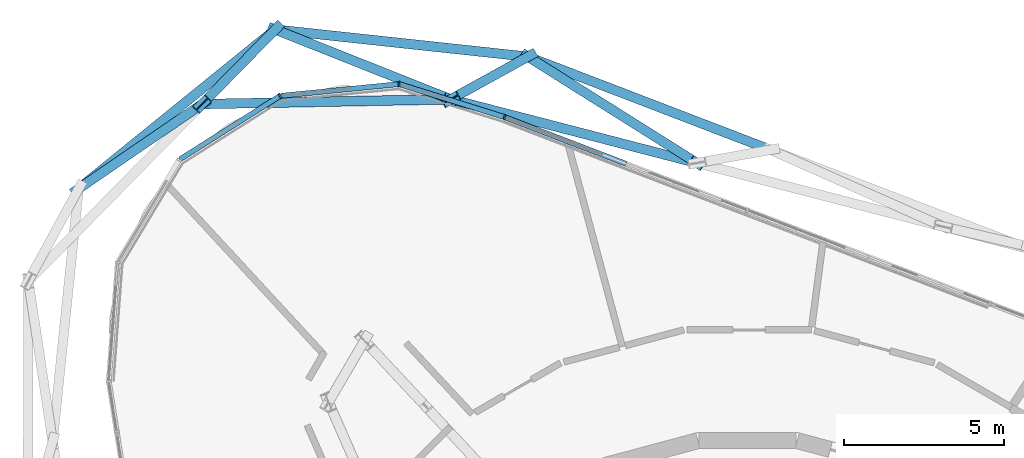
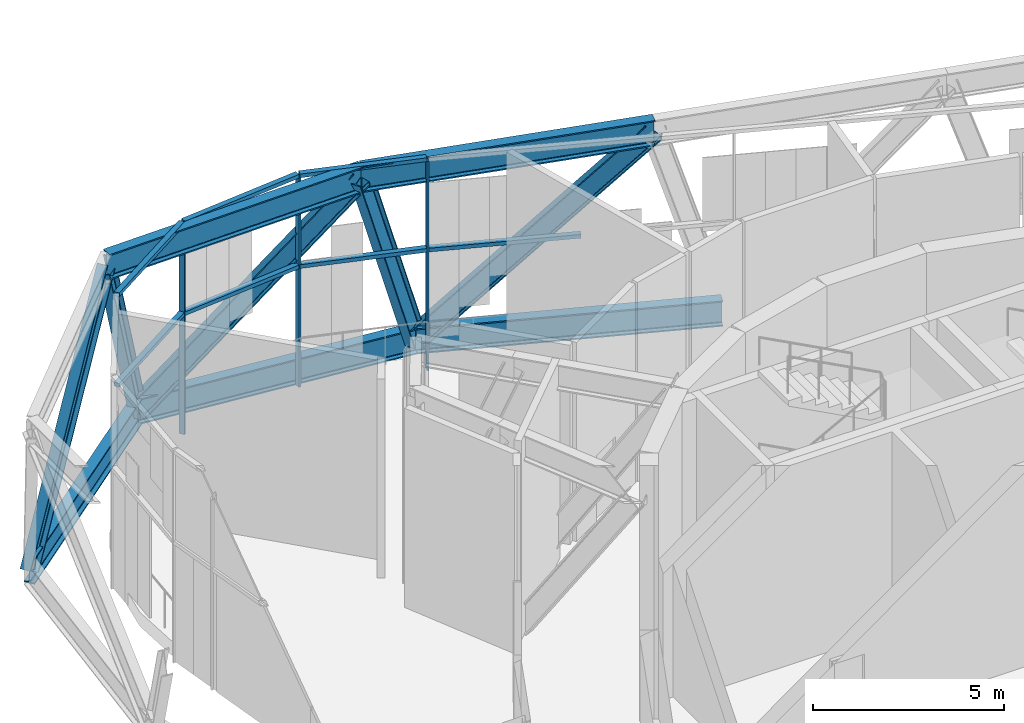
# One storey, part 8 of 25: 20 members, 2 elements without a shape of their own.
"""IFC4 building model written with IfcOpenShell, lengths in metres."""

from ifc_helpers import new_model, si_unit, direction, frame, origin, origin_2d, place, context, subcontext, project, spatial, rectangle, i_section, extrude, material, layer, layer_set, material_profile, profile_set, type_object, element, aggregate, save


model = new_model("IFC4")

# Units and contexts
model_context = context("Model", 3, precision=1e-05, world=origin(), true_north=direction((0.0, 1.0)))
body_context = subcontext(model_context, "Body", "Model", "MODEL_VIEW")
ifc_project = project(units=[si_unit("LENGTHUNIT", "METRE"), si_unit("AREAUNIT", "SQUARE_METRE"), si_unit("VOLUMEUNIT", "CUBIC_METRE"), si_unit("PLANEANGLEUNIT", "RADIAN"), si_unit("MASSUNIT", "GRAM", prefix="KILO")], contexts=[model_context])

# Site, building, storey
site_placement = place(None, origin())
site = spatial("IfcSite", under=ifc_project, at=site_placement, CompositionType="ELEMENT")
building_placement = place(site_placement, origin())
building = spatial("IfcBuilding", under=site, at=building_placement, Name="Spindle Arch Residences", CompositionType="ELEMENT")
storey_placement = place(building_placement, frame((0.0, 0.0, 291.39990234375)))
storey = spatial("IfcBuildingStorey", under=building, at=storey_placement, Name="L75", CompositionType="ELEMENT", Elevation=291.39990234375)

# Members
ifc_material_1 = material(Name="Steel S460ML, intumescent coating R 240", Category="steel")
ifc_material_profile_1 = material_profile(ifc_material_1, i_section(OverallWidth=0.302978515625, OverallDepth=0.81396484375, WebThickness=0.02099609375, FlangeThickness=0.0400390625, FilletRadius=0.030029296875, at=origin_2d()), Name="HEM 800")
ifc_profile_set_1 = profile_set([ifc_material_profile_1], Name="Steel S460ML, intumescent coating R 240")
member_type_1 = type_object("IfcMemberType", Name="Belt truss chord HEM 800", PredefinedType="CHORD", material=ifc_profile_set_1)
member_1_placement = place(storey_placement, frame((0.715087890625, 20.71630859375, -0.85693359375), z_axis=(-0.933579788553, 0.358369611443, 0.0), x_axis=(-0.358369611443, -0.933579788553, 0.0)))
element("IfcMember", 1, at=member_1_placement, inside=storey, type_object=member_type_1, Name="Belt truss bottom chord L75.8", PredefinedType="CHORD", context=body_context, shape_type="SweptSolid", body=[
    extrude(i_section(OverallWidth=0.302978515625, OverallDepth=0.81396484375, WebThickness=0.02099609375, FlangeThickness=0.0400390625, FilletRadius=0.030029296875, at=origin_2d()), origin(), (0.0, 0.0, 1.0), 8.107666015625),
])
member_2_placement = place(storey_placement, frame((-6.85400390625, 23.621826171875, -0.85693359375), z_axis=(-0.994275321982, 0.106848416453, 0.0), x_axis=(-0.106848416453, -0.994275321982, 0.0)))
element("IfcMember", 2, at=member_2_placement, inside=storey, type_object=member_type_1, Name="Belt truss bottom chord L75.9", PredefinedType="CHORD", context=body_context, shape_type="SweptSolid", body=[
    extrude(i_section(OverallWidth=0.302978515625, OverallDepth=0.81396484375, WebThickness=0.02099609375, FlangeThickness=0.0400390625, FilletRadius=0.030029296875, at=origin_2d()), origin(), (0.0, 0.0, 1.0), 7.9287109375),
])
member_3_placement = place(storey_placement, frame((-14.7373046875, 24.468994140625, -0.85693359375), z_axis=(-0.777154807983, -0.629309466343, 0.0), x_axis=(0.629309466343, -0.777154807983, 0.0)))
element("IfcMember", 3, at=member_3_placement, inside=storey, type_object=member_type_1, Name="Belt truss bottom chord L75.10", PredefinedType="CHORD", context=body_context, shape_type="SweptSolid", body=[
    extrude(i_section(OverallWidth=0.302978515625, OverallDepth=0.81396484375, WebThickness=0.02099609375, FlangeThickness=0.0400390625, FilletRadius=0.030029296875, at=origin_2d()), origin(), (0.0, 0.0, 1.0), 7.8916015625),
])
member_4_placement = place(storey_placement, frame((-1.57861328125, 20.306640625, 5.943115234375), z_axis=(-0.968145111287, 0.25038978312, 0.0), x_axis=(-0.25038978312, -0.968145111287, 0.0)))
element("IfcMember", 4, at=member_4_placement, inside=storey, type_object=member_type_1, Name="Belt truss top chord L75.8", PredefinedType="CHORD", context=body_context, shape_type="SweptSolid", body=[
    extrude(i_section(OverallWidth=0.302978515625, OverallDepth=0.81396484375, WebThickness=0.02099609375, FlangeThickness=0.0400390625, FilletRadius=0.030029296875, at=origin_2d()), origin(), (0.0, 0.0, 1.0), 7.934814453125),
])
member_5_placement = place(storey_placement, frame((-9.2607421875, 22.29345703125, 5.943115234375), z_axis=(-0.99981639415, -0.019161888974, 0.0), x_axis=(0.019161888974, -0.99981639415, 0.0)))
element("IfcMember", 5, at=member_5_placement, inside=storey, type_object=member_type_1, Name="Belt truss top chord L75.9", PredefinedType="CHORD", context=body_context, shape_type="SweptSolid", body=[
    extrude(i_section(OverallWidth=0.302978515625, OverallDepth=0.81396484375, WebThickness=0.02099609375, FlangeThickness=0.0400390625, FilletRadius=0.030029296875, at=origin_2d()), origin(), (0.0, 0.0, 1.0), 7.75927734375),
])
ifc_material_2 = material(Name="Steel S460ML, intumescent coating R 240", Category="steel")
ifc_material_profile_2 = material_profile(ifc_material_2, i_section(OverallWidth=0.300048828125, OverallDepth=0.60009765625, WebThickness=0.015380859375, FlangeThickness=0.030029296875, FilletRadius=0.027099609375, at=origin_2d()), Name="HEB 600")
ifc_profile_set_2 = profile_set([ifc_material_profile_2], Name="Steel S460ML, intumescent coating R 240")
member_type_2 = type_object("IfcMemberType", Name="Belt truss diagonal HEB 600", PredefinedType="BRACE", material=ifc_profile_set_2)
member_6_placement = place(storey_placement, frame((-6.85400390625, 23.621826171875, -0.85693359375), z_axis=(0.571991696769, -0.359453686155, 0.737304920868), x_axis=(0.532082466393, 0.846692535078, 0.0)))
element("IfcMember", 6, at=member_6_placement, inside=storey, type_object=member_type_2, Name="Belt truss diagonal L75.8.9", PredefinedType="BRACE", context=body_context, shape_type="SweptSolid", body=[
    extrude(i_section(OverallWidth=0.300048828125, OverallDepth=0.60009765625, WebThickness=0.015380859375, FlangeThickness=0.030029296875, FilletRadius=0.027099609375, at=origin_2d()), origin(), (0.0, 0.0, 1.0), 9.222900390625),
])
member_7_placement = place(storey_placement, frame((-6.85400390625, 23.621826171875, -0.85693359375), z_axis=(-0.328131061364, -0.181107841842, 0.927108384274), x_axis=(0.483220551241, -0.875498657257, 0.0)))
element("IfcMember", 7, at=member_7_placement, inside=storey, type_object=member_type_2, Name="Belt truss diagonal L75.9.9", PredefinedType="BRACE", context=body_context, shape_type="SweptSolid", body=[
    extrude(i_section(OverallWidth=0.300048828125, OverallDepth=0.60009765625, WebThickness=0.015380859375, FlangeThickness=0.030029296875, FilletRadius=0.027099609375, at=origin_2d()), origin(), (0.0, 0.0, 1.0), 7.334716796875),
])
member_8_placement = place(storey_placement, frame((-14.7373046875, 24.468994140625, -0.85693359375), z_axis=(0.608633333157, -0.241776552771, 0.755717913179), x_axis=(0.369182409882, 0.929356954154, 0.0)))
element("IfcMember", 8, at=member_8_placement, inside=storey, type_object=member_type_2, Name="Belt truss diagonal L75.9.10", PredefinedType="BRACE", context=body_context, shape_type="SweptSolid", body=[
    extrude(i_section(OverallWidth=0.300048828125, OverallDepth=0.60009765625, WebThickness=0.015380859375, FlangeThickness=0.030029296875, FilletRadius=0.027099609375, at=origin_2d()), origin(), (0.0, 0.0, 1.0), 8.998046875),
])
member_9_placement = place(storey_placement, frame((-14.7373046875, 24.468994140625, -0.85693359375), z_axis=(-0.302565934176, -0.308264950059, 0.901901644328), x_axis=(0.71367298432, -0.700479029988, 0.0)))
element("IfcMember", 9, at=member_9_placement, inside=storey, type_object=member_type_2, Name="Belt truss diagonal L75.10.10", PredefinedType="BRACE", context=body_context, shape_type="SweptSolid", body=[
    extrude(i_section(OverallWidth=0.300048828125, OverallDepth=0.60009765625, WebThickness=0.015380859375, FlangeThickness=0.030029296875, FilletRadius=0.027099609375, at=origin_2d()), origin(), (0.0, 0.0, 1.0), 7.539794921875),
])
member_10_placement = place(storey_placement, frame((-20.870361328125, 19.502685546875, -0.85693359375), z_axis=(0.466902058452, 0.320264567191, 0.824277304562), x_axis=(-0.56565227338, 0.824643865932, 0.0)))
element("IfcMember", 10, at=member_10_placement, inside=storey, type_object=member_type_2, Name="Belt truss diagonal L75.10.11", PredefinedType="BRACE", context=body_context, shape_type="SweptSolid", body=[
    extrude(i_section(OverallWidth=0.300048828125, OverallDepth=0.60009765625, WebThickness=0.015380859375, FlangeThickness=0.030029296875, FilletRadius=0.027099609375, at=origin_2d()), origin(), (0.0, 0.0, 1.0), 8.249755859375),
])

# Curtain wall, members
ifc_material_3 = material(Name="Aluminium bronze unitised frame with tinted glass", Category="aluminium")
ifc_layer = layer(ifc_material_3, 0.159912109375)
ifc_layer_set = layer_set([ifc_layer], Name="CW-E double-height winter garden wall")
curtain_wall_type = type_object("IfcCurtainWallType", Name="CW-E double-height winter garden wall", PredefinedType="NOTDEFINED", material=ifc_layer_set)
curtain_wall_1_placement = place(storey_placement, origin())
curtain_wall_1 = element("IfcCurtainWall", 11, at=curtain_wall_1_placement, inside=storey, type_object=curtain_wall_type, Name="CW-E L75 run 3", PredefinedType="NOTDEFINED")
ifc_material_4 = material(Name="Aluminium bronze anodised mullion", Category="aluminium")
ifc_material_profile_3 = material_profile(ifc_material_4, rectangle(XDim=0.159912109375, YDim=0.06005859375, at=origin_2d()), Name="MU 60x160")
ifc_profile_set_3 = profile_set([ifc_material_profile_3], Name="Aluminium bronze anodised mullion")
member_type_3 = type_object("IfcMemberType", Name="Bronze mullion 60x160", PredefinedType="MULLION", material=ifc_profile_set_3)
member_11_placement = place(storey_placement, frame((-7.577880859375, 21.73583984375, -0.449951171875), z_axis=(0.0, 0.0, 1.0), x_axis=(-0.298802665594, -0.954314920262, 0.0)))
member_11 = element("IfcMember", 12, at=member_11_placement, type_object=member_type_3, Name="CW-E mullion 00", PredefinedType="MULLION", context=body_context, shape_type="SweptSolid", body=[
    extrude(rectangle(XDim=0.159912109375, YDim=0.06005859375, at=origin_2d()), origin(), (0.0, 0.0, 1.0), 6.679931640625),
])
member_12_placement = place(storey_placement, frame((-10.874755859375, 22.768310546875, -0.449951171875), z_axis=(0.0, 0.0, 1.0), x_axis=(0.098740832762, -0.995113183485, 0.0)))
member_12 = element("IfcMember", 13, at=member_12_placement, type_object=member_type_3, Name="CW-E mullion 01", PredefinedType="MULLION", context=body_context, shape_type="SweptSolid", body=[
    extrude(rectangle(XDim=0.159912109375, YDim=0.06005859375, at=origin_2d()), origin(), (0.0, 0.0, 1.0), 6.679931640625),
])
member_13_placement = place(storey_placement, frame((-14.58349609375, 22.400390625, -0.449951171875), z_axis=(0.0, 0.0, 1.0), x_axis=(0.534844015322, -0.844950814707, 0.0)))
member_13 = element("IfcMember", 14, at=member_13_placement, type_object=member_type_3, Name="CW-E mullion 02", PredefinedType="MULLION", context=body_context, shape_type="SweptSolid", body=[
    extrude(rectangle(XDim=0.159912109375, YDim=0.06005859375, at=origin_2d()), origin(), (0.0, 0.0, 1.0), 6.679931640625),
])

# Curtain wall, member
curtain_wall_2_placement = place(storey_placement, origin())
curtain_wall_2 = element("IfcCurtainWall", 15, at=curtain_wall_2_placement, inside=storey, type_object=curtain_wall_type, Name="CW-E L75 run 2", PredefinedType="NOTDEFINED")
ifc_material_5 = material(Name="Aluminium bronze anodised transom", Category="aluminium")
ifc_material_profile_4 = material_profile(ifc_material_5, rectangle(XDim=0.159912109375, YDim=0.1201171875, at=origin_2d()), Name="TR 120x160")
ifc_profile_set_4 = profile_set([ifc_material_profile_4], Name="Aluminium bronze anodised transom")
member_type_4 = type_object("IfcMemberType", Name="Bronze transom 120x160", PredefinedType="USERDEFINED", material=ifc_profile_set_4)
member_14_placement = place(storey_placement, frame((-3.793212890625, 20.283203125, 3.400146484375), z_axis=(-0.933590898711, 0.358340667303, 0.0), x_axis=(-0.358340667303, -0.933590898711, 0.0)))
member_14 = element("IfcMember", 16, at=member_14_placement, type_object=member_type_4, Name="CW-E transom 07Bm", ObjectType="TRANSOM", PredefinedType="USERDEFINED", context=body_context, shape_type="SweptSolid", body=[
    extrude(rectangle(XDim=0.159912109375, YDim=0.1201171875, at=origin_2d()), origin(), (0.0, 0.0, 1.0), 4.02392578125),
])
aggregate(curtain_wall_2, [member_14])

# Member
member_15_placement = place(storey_placement, frame((-7.6064453125, 21.744873046875, 6.2900390625), z_axis=(-0.95431347792, 0.298807272099, 0.0), x_axis=(-0.298807272099, -0.95431347792, 0.0)))
member_15 = element("IfcMember", 17, at=member_15_placement, type_object=member_type_4, Name="CW-E transom 00", ObjectType="TRANSOM", PredefinedType="USERDEFINED", context=body_context, shape_type="SweptSolid", body=[
    extrude(rectangle(XDim=0.159912109375, YDim=0.1201171875, at=origin_2d()), origin(), (0.0, 0.0, 1.0), 3.394775390625),
])

member_16_placement = place(storey_placement, frame((-7.6064453125, 21.744873046875, 3.400146484375), z_axis=(-0.95431347792, 0.298807272099, 0.0), x_axis=(-0.298807272099, -0.95431347792, 0.0)))
member_16 = element("IfcMember", 18, at=member_16_placement, type_object=member_type_4, Name="CW-E transom 00m", ObjectType="TRANSOM", PredefinedType="USERDEFINED", context=body_context, shape_type="SweptSolid", body=[
    extrude(rectangle(XDim=0.159912109375, YDim=0.1201171875, at=origin_2d()), origin(), (0.0, 0.0, 1.0), 3.394775390625),
])

member_17_placement = place(storey_placement, frame((-10.90478515625, 22.765380859375, 6.2900390625), z_axis=(-0.99511271598, -0.098745544182, 0.0), x_axis=(0.098745544182, -0.99511271598, 0.0)))
member_17 = element("IfcMember", 19, at=member_17_placement, type_object=member_type_4, Name="CW-E transom 01", ObjectType="TRANSOM", PredefinedType="USERDEFINED", context=body_context, shape_type="SweptSolid", body=[
    extrude(rectangle(XDim=0.159912109375, YDim=0.1201171875, at=origin_2d()), origin(), (0.0, 0.0, 1.0), 3.66650390625),
])

member_18_placement = place(storey_placement, frame((-10.90478515625, 22.765380859375, 3.400146484375), z_axis=(-0.99511271598, -0.098745544182, 0.0), x_axis=(0.098745544182, -0.99511271598, 0.0)))
member_18 = element("IfcMember", 20, at=member_18_placement, type_object=member_type_4, Name="CW-E transom 01m", ObjectType="TRANSOM", PredefinedType="USERDEFINED", context=body_context, shape_type="SweptSolid", body=[
    extrude(rectangle(XDim=0.159912109375, YDim=0.1201171875, at=origin_2d()), origin(), (0.0, 0.0, 1.0), 3.66650390625),
])

member_19_placement = place(storey_placement, frame((-14.608642578125, 22.38427734375, 6.2900390625), z_axis=(-0.844958488621, -0.53483189182, 0.0), x_axis=(0.53483189182, -0.844958488621, 0.0)))
member_19 = element("IfcMember", 21, at=member_19_placement, type_object=member_type_4, Name="CW-E transom 02", ObjectType="TRANSOM", PredefinedType="USERDEFINED", context=body_context, shape_type="SweptSolid", body=[
    extrude(rectangle(XDim=0.159912109375, YDim=0.1201171875, at=origin_2d()), origin(), (0.0, 0.0, 1.0), 3.6669921875),
])

member_20_placement = place(storey_placement, frame((-14.608642578125, 22.38427734375, 3.400146484375), z_axis=(-0.844958488621, -0.53483189182, 0.0), x_axis=(0.53483189182, -0.844958488621, 0.0)))
member_20 = element("IfcMember", 22, at=member_20_placement, type_object=member_type_4, Name="CW-E transom 02m", ObjectType="TRANSOM", PredefinedType="USERDEFINED", context=body_context, shape_type="SweptSolid", body=[
    extrude(rectangle(XDim=0.159912109375, YDim=0.1201171875, at=origin_2d()), origin(), (0.0, 0.0, 1.0), 3.6669921875),
])

aggregate(curtain_wall_1, [member_11, member_15, member_16, member_12, member_17, member_18, member_13, member_19, member_20])

save(model, "model.ifc")
